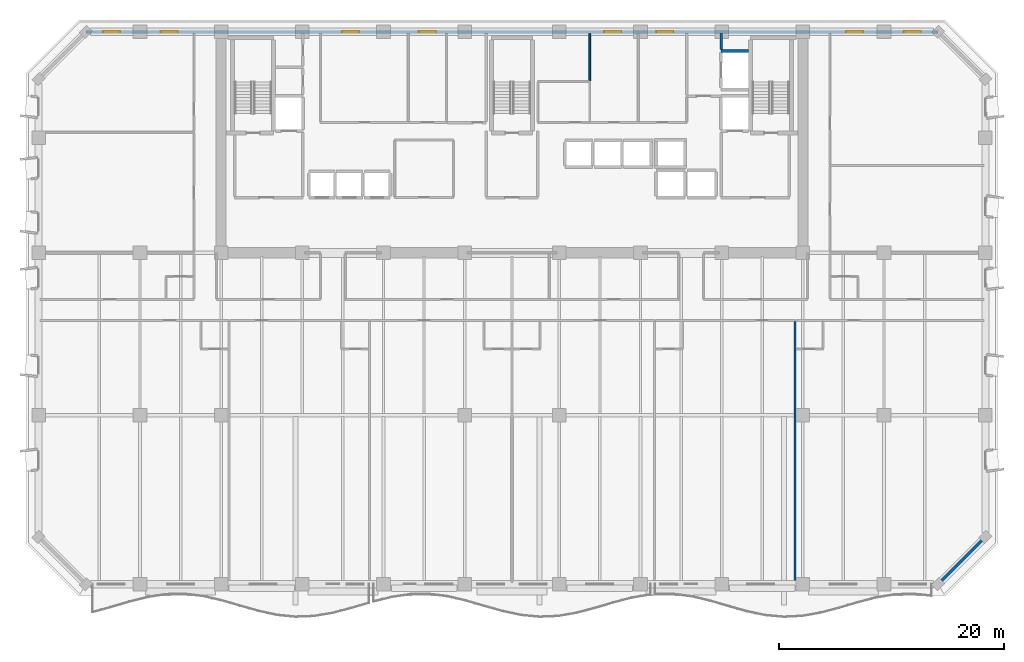
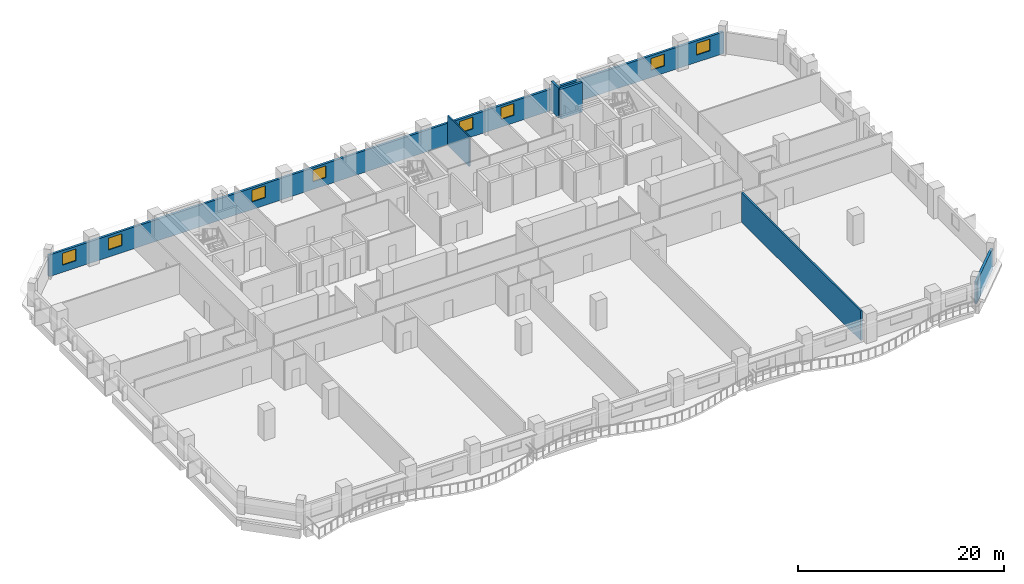
# One storey, part 9 of 15: 8 windows, 6 walls, 8 openings.
"""IFC4 building model written with IfcOpenShell, lengths in metres."""

from ifc_helpers import new_model, si_unit, direction, frame, frame_2d, origin, place, context, subcontext, project, spatial, rectangle, extrude, material, layer, layer_set, type_object, element, fill, save


model = new_model("IFC4")

# Units and contexts
model_context = context("Model", 3, precision=1e-05, world=origin(), true_north=direction((0.0, 1.0)))
body_context = subcontext(model_context, "Body", "Model", "MODEL_VIEW")
ifc_project = project(units=[si_unit("LENGTHUNIT", "METRE"), si_unit("AREAUNIT", "SQUARE_METRE"), si_unit("VOLUMEUNIT", "CUBIC_METRE"), si_unit("PLANEANGLEUNIT", "RADIAN"), si_unit("MASSUNIT", "GRAM", prefix="KILO")], contexts=[model_context])

# Site, building, storey
site_placement = place(None, origin())
site = spatial("IfcSite", under=ifc_project, at=site_placement, CompositionType="ELEMENT")
building_placement = place(site_placement, origin())
building = spatial("IfcBuilding", under=site, at=building_placement, Name="Kaelvorn Grand Hotel", CompositionType="ELEMENT")
storey_placement = place(building_placement, frame((0.0, 0.0, 108.050048828125)))
storey = spatial("IfcBuildingStorey", under=building, at=storey_placement, Name="L25", CompositionType="ELEMENT", Elevation=108.050048828125)

# Wall
ifc_material_1 = material(Name="Concrete C40/50", Category="concrete")
ifc_layer_1 = layer(ifc_material_1, 0.260009765625)
ifc_layer_set_1 = layer_set([ifc_layer_1], Name="Concrete C40/50")
wall_type_1 = type_object("IfcWallType", Name="WL-EXT-260-C40", PredefinedType="SOLIDWALL", material=ifc_layer_set_1)
wall_1_placement = place(storey_placement, frame((79.800048828125, 0.0, 0.0), z_axis=(0.0, 0.0, 1.0), x_axis=(0.707106781187, 0.707106781187, 0.0)))
element("IfcWall", 1, at=wall_1_placement, inside=storey, type_object=wall_type_1, Name="L25 Exterior Architectural Concrete Wall 02", PredefinedType="SOLIDWALL", context=body_context, shape_type="SweptSolid", body=[
    extrude(rectangle(XDim=5.939697265625, YDim=0.260009765625, at=frame_2d((2.9697265625, 0.0))), origin(), (0.0, 0.0, 1.0), 2.56005859375),
])

# Wall, openings, windows
wall_2_placement = place(storey_placement, frame((79.800048828125, 49.0, 0.0), z_axis=(0.0, 0.0, 1.0), x_axis=(-1.0, 0.0, 0.0)))
wall_2 = element("IfcWall", 2, at=wall_2_placement, inside=storey, type_object=wall_type_1, Name="L25 Exterior Architectural Concrete Wall 05", PredefinedType="SOLIDWALL", context=body_context, shape_type="SweptSolid", body=[
    extrude(rectangle(XDim=75.60009765625, YDim=0.260009765625, at=frame_2d((37.800048828125, 0.0))), origin(), (0.0, 0.0, 1.0), 2.56005859375),
])
opening_1_placement = place(wall_2_placement, frame((72.56494140625, 0.0, 0.85009765625)))
opening_1 = element("IfcOpeningElement", 3, at=opening_1_placement, cuts=wall_2, Name="Opening W10", PredefinedType="OPENING", context=body_context, shape_type="SweptSolid", body=[
    extrude(rectangle(XDim=1.5, YDim=1.39990234375, at=frame_2d((0.75, 0.699951171875))), frame((0.0, 0.14013671875, 0.0), z_axis=(0.0, -1.0, 0.0), x_axis=(1.0, 0.0, 0.0)), (0.0, 0.0, 1.0), 0.280029296875),
])
opening_2_placement = place(wall_2_placement, frame((67.449951171875, 0.0, 0.85009765625)))
opening_2 = element("IfcOpeningElement", 4, at=opening_2_placement, cuts=wall_2, Name="Opening W10", PredefinedType="OPENING", context=body_context, shape_type="SweptSolid", body=[
    extrude(rectangle(XDim=1.5, YDim=1.39990234375, at=frame_2d((0.75, 0.699951171875))), frame((0.0, 0.14013671875, 0.0), z_axis=(0.0, -1.0, 0.0), x_axis=(1.0, 0.0, 0.0)), (0.0, 0.0, 1.0), 0.280029296875),
])
opening_3_placement = place(wall_2_placement, frame((6.64990234375, 0.0, 0.85009765625)))
opening_3 = element("IfcOpeningElement", 5, at=opening_3_placement, cuts=wall_2, Name="Opening W10", PredefinedType="OPENING", context=body_context, shape_type="SweptSolid", body=[
    extrude(rectangle(XDim=1.5, YDim=1.39990234375, at=frame_2d((0.75, 0.699951171875))), frame((0.0, 0.14013671875, 0.0), z_axis=(0.0, -1.0, 0.0), x_axis=(1.0, 0.0, 0.0)), (0.0, 0.0, 1.0), 0.280029296875),
])
opening_4_placement = place(wall_2_placement, frame((1.534912109375, 0.0, 0.85009765625)))
opening_4 = element("IfcOpeningElement", 6, at=opening_4_placement, cuts=wall_2, Name="Opening W10", PredefinedType="OPENING", context=body_context, shape_type="SweptSolid", body=[
    extrude(rectangle(XDim=1.5, YDim=1.39990234375, at=frame_2d((0.75, 0.699951171875))), frame((0.0, 0.14013671875, 0.0), z_axis=(0.0, -1.0, 0.0), x_axis=(1.0, 0.0, 0.0)), (0.0, 0.0, 1.0), 0.280029296875),
])
opening_5_placement = place(wall_2_placement, frame((51.364990234375, 0.0, 0.89990234375)))
opening_5 = element("IfcOpeningElement", 7, at=opening_5_placement, cuts=wall_2, Name="Opening W10", PredefinedType="OPENING", context=body_context, shape_type="SweptSolid", body=[
    extrude(rectangle(XDim=1.5, YDim=1.39990234375, at=frame_2d((0.75, 0.699951171875))), frame((0.0, 0.14013671875, 0.0), z_axis=(0.0, -1.0, 0.0), x_axis=(1.0, 0.0, 0.0)), (0.0, 0.0, 1.0), 0.280029296875),
])
opening_6_placement = place(wall_2_placement, frame((44.550048828125, 0.0, 0.89990234375)))
opening_6 = element("IfcOpeningElement", 8, at=opening_6_placement, cuts=wall_2, Name="Opening W10", PredefinedType="OPENING", context=body_context, shape_type="SweptSolid", body=[
    extrude(rectangle(XDim=1.5, YDim=1.39990234375, at=frame_2d((0.75, 0.699951171875))), frame((0.0, 0.14013671875, 0.0), z_axis=(0.0, -1.0, 0.0), x_axis=(1.0, 0.0, 0.0)), (0.0, 0.0, 1.0), 0.280029296875),
])
opening_7_placement = place(wall_2_placement, frame((28.10009765625, 0.0, 0.89990234375)))
opening_7 = element("IfcOpeningElement", 9, at=opening_7_placement, cuts=wall_2, Name="Opening W10", PredefinedType="OPENING", context=body_context, shape_type="SweptSolid", body=[
    extrude(rectangle(XDim=1.5, YDim=1.39990234375, at=frame_2d((0.75, 0.699951171875))), frame((0.0, 0.14013671875, 0.0), z_axis=(0.0, -1.0, 0.0), x_axis=(1.0, 0.0, 0.0)), (0.0, 0.0, 1.0), 0.280029296875),
])
opening_8_placement = place(wall_2_placement, frame((23.485107421875, 0.0, 0.89990234375)))
opening_8 = element("IfcOpeningElement", 10, at=opening_8_placement, cuts=wall_2, Name="Opening W10", PredefinedType="OPENING", context=body_context, shape_type="SweptSolid", body=[
    extrude(rectangle(XDim=1.5, YDim=1.39990234375, at=frame_2d((0.75, 0.699951171875))), frame((0.0, 0.14013671875, 0.0), z_axis=(0.0, -1.0, 0.0), x_axis=(1.0, 0.0, 0.0)), (0.0, 0.0, 1.0), 0.280029296875),
])
ifc_material_2 = material(Name="Laminated Low-E Glass", Category="glass")
window_type = type_object("IfcWindowType", Name="WIN-COR-1500x1400", PartitioningType="SINGLE_PANEL", PredefinedType="WINDOW", material=ifc_material_2)
window_1_placement = place(opening_1_placement, origin())
window_1 = element("IfcWindow", 11, at=window_1_placement, inside=storey, type_object=window_type, Name="L25 North Wing Ribbon Window NW01", OverallHeight=1.39990234375, OverallWidth=1.5, PartitioningType="SINGLE_PANEL", PredefinedType="WINDOW", context=body_context, shape_type="SweptSolid", body=[
    extrude(rectangle(XDim=1.5, YDim=1.39990234375, at=frame_2d((0.75, 0.699951171875))), frame((0.0, 0.030029296875, 0.0), z_axis=(0.0, -1.0, 0.0), x_axis=(1.0, 0.0, 0.0)), (0.0, 0.0, 1.0), 0.06005859375),
])
fill(opening_1, window_1)
window_2_placement = place(opening_2_placement, origin())
window_2 = element("IfcWindow", 12, at=window_2_placement, inside=storey, type_object=window_type, Name="L25 North Wing Ribbon Window NW02", OverallHeight=1.39990234375, OverallWidth=1.5, PartitioningType="SINGLE_PANEL", PredefinedType="WINDOW", context=body_context, shape_type="SweptSolid", body=[
    extrude(rectangle(XDim=1.5, YDim=1.39990234375, at=frame_2d((0.75, 0.699951171875))), frame((0.0, 0.030029296875, 0.0), z_axis=(0.0, -1.0, 0.0), x_axis=(1.0, 0.0, 0.0)), (0.0, 0.0, 1.0), 0.06005859375),
])
fill(opening_2, window_2)
window_3_placement = place(opening_3_placement, origin())
window_3 = element("IfcWindow", 13, at=window_3_placement, inside=storey, type_object=window_type, Name="L25 North Wing Ribbon Window NW03", OverallHeight=1.39990234375, OverallWidth=1.5, PartitioningType="SINGLE_PANEL", PredefinedType="WINDOW", context=body_context, shape_type="SweptSolid", body=[
    extrude(rectangle(XDim=1.5, YDim=1.39990234375, at=frame_2d((0.75, 0.699951171875))), frame((0.0, 0.030029296875, 0.0), z_axis=(0.0, -1.0, 0.0), x_axis=(1.0, 0.0, 0.0)), (0.0, 0.0, 1.0), 0.06005859375),
])
fill(opening_3, window_3)
window_4_placement = place(opening_4_placement, origin())
window_4 = element("IfcWindow", 14, at=window_4_placement, inside=storey, type_object=window_type, Name="L25 North Wing Ribbon Window NW04", OverallHeight=1.39990234375, OverallWidth=1.5, PartitioningType="SINGLE_PANEL", PredefinedType="WINDOW", context=body_context, shape_type="SweptSolid", body=[
    extrude(rectangle(XDim=1.5, YDim=1.39990234375, at=frame_2d((0.75, 0.699951171875))), frame((0.0, 0.030029296875, 0.0), z_axis=(0.0, -1.0, 0.0), x_axis=(1.0, 0.0, 0.0)), (0.0, 0.0, 1.0), 0.06005859375),
])
fill(opening_4, window_4)
window_5_placement = place(opening_5_placement, origin())
window_5 = element("IfcWindow", 15, at=window_5_placement, inside=storey, type_object=window_type, Name="L25 North Core Clerestory Ribbon Window NC05", OverallHeight=1.39990234375, OverallWidth=1.5, PartitioningType="SINGLE_PANEL", PredefinedType="WINDOW", context=body_context, shape_type="SweptSolid", body=[
    extrude(rectangle(XDim=1.5, YDim=1.39990234375, at=frame_2d((0.75, 0.699951171875))), frame((0.0, 0.030029296875, 0.0), z_axis=(0.0, -1.0, 0.0), x_axis=(1.0, 0.0, 0.0)), (0.0, 0.0, 1.0), 0.06005859375),
])
fill(opening_5, window_5)
window_6_placement = place(opening_6_placement, origin())
window_6 = element("IfcWindow", 16, at=window_6_placement, inside=storey, type_object=window_type, Name="L25 North Core Clerestory Ribbon Window NC06", OverallHeight=1.39990234375, OverallWidth=1.5, PartitioningType="SINGLE_PANEL", PredefinedType="WINDOW", context=body_context, shape_type="SweptSolid", body=[
    extrude(rectangle(XDim=1.5, YDim=1.39990234375, at=frame_2d((0.75, 0.699951171875))), frame((0.0, 0.030029296875, 0.0), z_axis=(0.0, -1.0, 0.0), x_axis=(1.0, 0.0, 0.0)), (0.0, 0.0, 1.0), 0.06005859375),
])
fill(opening_6, window_6)
window_7_placement = place(opening_7_placement, origin())
window_7 = element("IfcWindow", 17, at=window_7_placement, inside=storey, type_object=window_type, Name="L25 North Core Clerestory Ribbon Window NC07", OverallHeight=1.39990234375, OverallWidth=1.5, PartitioningType="SINGLE_PANEL", PredefinedType="WINDOW", context=body_context, shape_type="SweptSolid", body=[
    extrude(rectangle(XDim=1.5, YDim=1.39990234375, at=frame_2d((0.75, 0.699951171875))), frame((0.0, 0.030029296875, 0.0), z_axis=(0.0, -1.0, 0.0), x_axis=(1.0, 0.0, 0.0)), (0.0, 0.0, 1.0), 0.06005859375),
])
fill(opening_7, window_7)
window_8_placement = place(opening_8_placement, origin())
window_8 = element("IfcWindow", 18, at=window_8_placement, inside=storey, type_object=window_type, Name="L25 North Core Clerestory Ribbon Window NC08", OverallHeight=1.39990234375, OverallWidth=1.5, PartitioningType="SINGLE_PANEL", PredefinedType="WINDOW", context=body_context, shape_type="SweptSolid", body=[
    extrude(rectangle(XDim=1.5, YDim=1.39990234375, at=frame_2d((0.75, 0.699951171875))), frame((0.0, 0.030029296875, 0.0), z_axis=(0.0, -1.0, 0.0), x_axis=(1.0, 0.0, 0.0)), (0.0, 0.0, 1.0), 0.06005859375),
])
fill(opening_8, window_8)

# Walls
ifc_material_3 = material(Name="Acoustic Gypsum & Stud Partition")
ifc_layer_2 = layer(ifc_material_3, 0.14990234375)
ifc_layer_set_2 = layer_set([ifc_layer_2], Name="Acoustic Gypsum & Stud Partition")
wall_type_2 = type_object("IfcWallType", Name="WL-PART-150-EI60", PredefinedType="PARTITIONING", material=ifc_layer_set_2)
wall_3_placement = place(storey_placement, frame((48.89990234375, 44.66748046875, 0.0), z_axis=(0.0, 0.0, 1.0), x_axis=(0.0, 1.0, 0.0)))
element("IfcWall", 19, at=wall_3_placement, inside=storey, type_object=wall_type_2, Name="L25 Minibar & Glassware Store W Partition", PredefinedType="PARTITIONING", context=body_context, shape_type="SweptSolid", body=[
    extrude(rectangle(XDim=4.1826171875, YDim=0.14990234375, at=frame_2d((2.09130859375, 0.0))), origin(), (0.0, 0.0, 1.0), 3.510009765625),
])
ifc_layer_3 = layer(ifc_material_3, 0.179931640625)
ifc_layer_set_3 = layer_set([ifc_layer_3], Name="Acoustic Gypsum & Stud Partition")
wall_type_3 = type_object("IfcWallType", Name="WL-PART-180-EI60", PredefinedType="PARTITIONING", material=ifc_layer_set_3)
wall_4_placement = place(storey_placement, frame((67.100341796875, 0.14990234375, 0.0), z_axis=(0.0, 0.0, 1.0), x_axis=(0.0, 1.0, 0.0)))
element("IfcWall", 20, at=wall_4_placement, inside=storey, type_object=wall_type_3, Name="L25 Presidential Sky Suite L25-05 E Partition", PredefinedType="PARTITIONING", context=body_context, shape_type="SweptSolid", body=[
    extrude(rectangle(XDim=23.155029296875, YDim=0.179931640625, at=frame_2d((11.57763671875, 0.0))), origin(), (0.0, 0.0, 1.0), 3.510009765625),
])
ifc_layer_4 = layer(ifc_material_1, 0.219970703125)
ifc_layer_set_4 = layer_set([ifc_layer_4], Name="Concrete C40/50")
wall_type_4 = type_object("IfcWallType", Name="WL-PART-220-EI120", PredefinedType="PARTITIONING", material=ifc_layer_set_4)
wall_5_placement = place(storey_placement, frame((60.550048828125, 47.445068359375, 0.0), z_axis=(0.0, 0.0, 1.0), x_axis=(0.0, 1.0, 0.0)))
element("IfcWall", 21, at=wall_5_placement, inside=storey, type_object=wall_type_4, Name="L25 Service Lift Lobby E Partition", PredefinedType="PARTITIONING", context=body_context, shape_type="SweptSolid", body=[
    extrude(rectangle(XDim=1.405029296875, YDim=0.219970703125, at=frame_2d((0.70263671875, 0.0))), origin(), (0.0, 0.0, 1.0), 3.510009765625),
])
ifc_material_4 = material(Name="Concrete C50/60", Category="concrete")
ifc_layer_5 = layer(ifc_material_4, 0.280029296875)
ifc_layer_set_5 = layer_set([ifc_layer_5], Name="Concrete C50/60")
wall_type_5 = type_object("IfcWallType", Name="WL-SHAFT-280-C50", PredefinedType="SHEAR", material=ifc_layer_set_5)
wall_6_placement = place(storey_placement, frame((60.550048828125, 47.300048828125, 0.0), z_axis=(0.0, 0.0, 1.0), x_axis=(1.0, 0.0, 0.0)))
element("IfcWall", 22, at=wall_6_placement, inside=storey, type_object=wall_type_5, Name="L25 Lift SV1 Shaft North Wall", PredefinedType="SHEAR", context=body_context, shape_type="SweptSolid", body=[
    extrude(rectangle(XDim=2.4150390625, YDim=0.280029296875, at=frame_2d((1.20751953125, 0.0))), origin(), (0.0, 0.0, 1.0), 3.510009765625),
])

save(model, "model.ifc")
